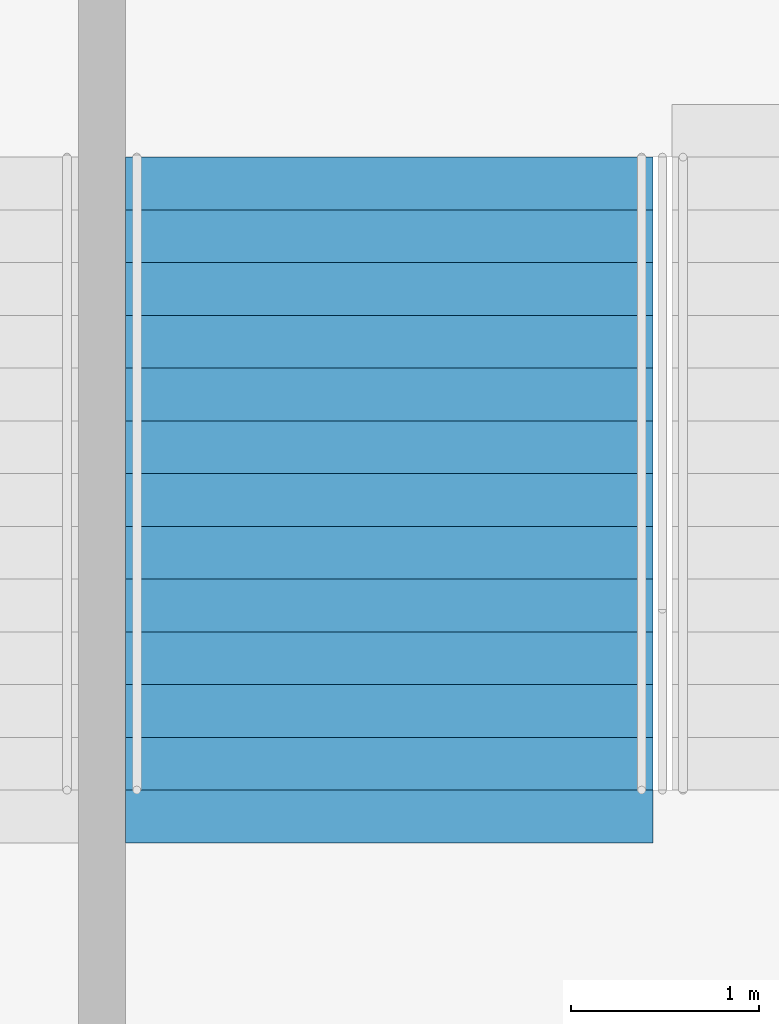
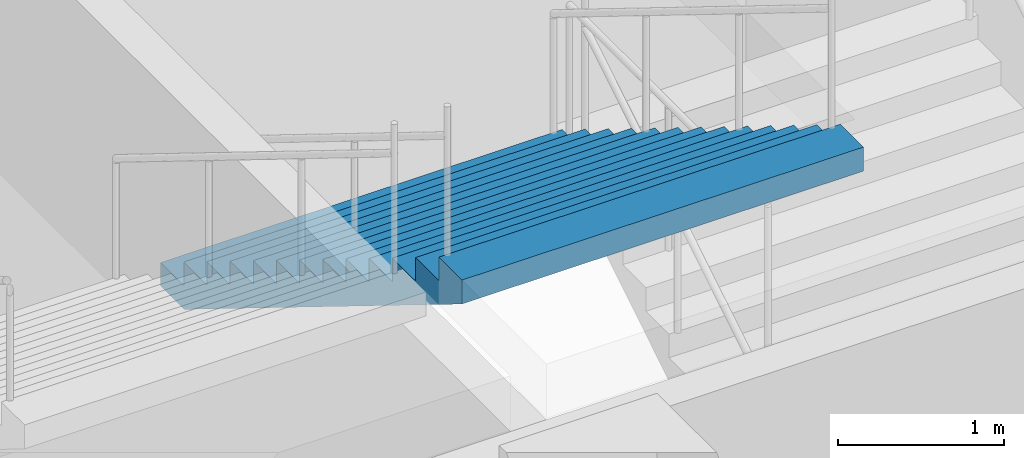
# One storey, part 165 of 199: 1 stair flight, 1 element without a shape of its own.
"""IFC4 building model written with IfcOpenShell, lengths in metres."""

from ifc_helpers import new_model, si_unit, direction, frame, origin, place, context, subcontext, project, spatial, faceted_brep, material, type_object, element, aggregate, save


model = new_model("IFC4")

# Units and contexts
model_context = context("Model", 3, precision=1e-05, world=origin(), true_north=direction((0.0, 1.0)))
body_context = subcontext(model_context, "Body", "Model", "MODEL_VIEW")
ifc_project = project(units=[si_unit("LENGTHUNIT", "METRE"), si_unit("AREAUNIT", "SQUARE_METRE"), si_unit("VOLUMEUNIT", "CUBIC_METRE"), si_unit("PLANEANGLEUNIT", "RADIAN"), si_unit("MASSUNIT", "GRAM", prefix="KILO")], contexts=[model_context])

# Site, building, storey
site_placement = place(None, origin())
site = spatial("IfcSite", under=ifc_project, at=site_placement, CompositionType="ELEMENT")
building_placement = place(site_placement, origin())
building = spatial("IfcBuilding", under=site, at=building_placement, Name="Ogive Plaza Stadium", CompositionType="ELEMENT")
storey_placement = place(building_placement, frame((0.0, 0.0, 9.0)))
storey = spatial("IfcBuildingStorey", under=building, at=storey_placement, Name="L02", CompositionType="ELEMENT", Elevation=9.0)

# Stair, stair flight
ifc_material_1 = material(Name="Concrete C40/50", Category="concrete")
stair_type = type_object("IfcStairType", Name="Exit stair", PredefinedType="STRAIGHT_RUN_STAIR", material=ifc_material_1)
stair_placement = place(storey_placement, origin())
stair = element("IfcStair", 1, at=stair_placement, inside=storey, type_object=stair_type, Name="Exit stair ST34A L02 to L03", PredefinedType="STRAIGHT_RUN_STAIR")
ifc_material_2 = material(Name="Concrete C40/50", Category="concrete")
stair_flight_type = type_object("IfcStairFlightType", Name="Exit stair flight", PredefinedType="STRAIGHT", material=ifc_material_2)
stair_flight_placement = place(storey_placement, frame((-5.27490234375, 98.2099609375, 2.25), z_axis=(0.0, 0.0, 1.0), x_axis=(0.0, -1.0, 0.0)))
stair_flight = element("IfcStairFlight", 2, at=stair_flight_placement, type_object=stair_flight_type, Name="ST34A flight 2", NumberOfRisers=13, NumberOfTreads=12, PredefinedType="STRAIGHT", RiserHeight=0.173076923, TreadLength=0.28, context=body_context, shape_type="Brep", body=[
    faceted_brep([(0.28515625, -1.39990234375, 0.0), (3.639892578125, -1.39990234375, 2.07373046875), (3.639892578125, -1.39990234375, 2.25), (3.360107421875, -1.39990234375, 2.25), (3.360107421875, -1.39990234375, 2.076904296875), (3.080078125, -1.39990234375, 2.076904296875), (3.080078125, -1.39990234375, 1.90380859375), (2.800048828125, -1.39990234375, 1.90380859375), (2.800048828125, -1.39990234375, 1.730712890625), (2.52001953125, -1.39990234375, 1.730712890625), (2.52001953125, -1.39990234375, 1.5576171875), (2.239990234375, -1.39990234375, 1.5576171875), (2.239990234375, -1.39990234375, 1.384521484375), (1.9599609375, -1.39990234375, 1.384521484375), (1.9599609375, -1.39990234375, 1.21142578125), (1.679931640625, -1.39990234375, 1.21142578125), (1.679931640625, -1.39990234375, 1.03857421875), (1.39990234375, -1.39990234375, 1.03857421875), (1.39990234375, -1.39990234375, 0.865478515625), (1.1201171875, -1.39990234375, 0.865478515625), (1.1201171875, -1.39990234375, 0.6923828125), (0.840087890625, -1.39990234375, 0.6923828125), (0.840087890625, -1.39990234375, 0.519287109375), (0.56005859375, -1.39990234375, 0.519287109375), (0.56005859375, -1.39990234375, 0.34619140625), (0.280029296875, -1.39990234375, 0.34619140625), (0.280029296875, -1.39990234375, 0.173095703125), (0.0, -1.39990234375, 0.173095703125), (0.0, -1.39990234375, 0.0), (0.0, 1.39990234375, 0.0), (0.0, 1.39990234375, 0.173095703125), (0.280029296875, 1.39990234375, 0.173095703125), (0.280029296875, 1.39990234375, 0.34619140625), (0.56005859375, 1.39990234375, 0.34619140625), (0.56005859375, 1.39990234375, 0.519287109375), (0.840087890625, 1.39990234375, 0.519287109375), (0.840087890625, 1.39990234375, 0.6923828125), (1.1201171875, 1.39990234375, 0.6923828125), (1.1201171875, 1.39990234375, 0.865478515625), (1.39990234375, 1.39990234375, 0.865478515625), (1.39990234375, 1.39990234375, 1.03857421875), (1.679931640625, 1.39990234375, 1.03857421875), (1.679931640625, 1.39990234375, 1.21142578125), (1.9599609375, 1.39990234375, 1.21142578125), (1.9599609375, 1.39990234375, 1.384521484375), (2.239990234375, 1.39990234375, 1.384521484375), (2.239990234375, 1.39990234375, 1.5576171875), (2.52001953125, 1.39990234375, 1.5576171875), (2.52001953125, 1.39990234375, 1.730712890625), (2.800048828125, 1.39990234375, 1.730712890625), (2.800048828125, 1.39990234375, 1.90380859375), (3.080078125, 1.39990234375, 1.90380859375), (3.080078125, 1.39990234375, 2.076904296875), (3.360107421875, 1.39990234375, 2.076904296875), (3.360107421875, 1.39990234375, 2.25), (3.639892578125, 1.39990234375, 2.25), (3.639892578125, 1.39990234375, 2.07373046875), (0.28515625, 1.39990234375, 0.0), (0.28515625, -1.0888671875, 0.0), (3.639892578125, -1.0888671875, 2.07373046875), (0.28515625, -0.77783203125, 0.0), (3.639892578125, -0.77783203125, 2.07373046875), (0.28515625, -0.466796875, 0.0), (3.639892578125, -0.466796875, 2.07373046875), (0.28515625, -0.155517578125, 0.0), (3.639892578125, -0.155517578125, 2.07373046875), (0.28515625, 0.155517578125, 0.0), (3.639892578125, 0.155517578125, 2.07373046875), (0.28515625, 0.466796875, 0.0), (3.639892578125, 0.466796875, 2.07373046875), (0.28515625, 0.77783203125, 0.0), (3.639892578125, 0.77783203125, 2.07373046875), (0.28515625, 1.0888671875, 0.0), (3.639892578125, 1.0888671875, 2.07373046875), (3.639892578125, -1.0888671875, 2.25), (3.639892578125, -0.77783203125, 2.25), (3.639892578125, -0.466796875, 2.25), (3.639892578125, -0.155517578125, 2.25), (3.639892578125, 0.155517578125, 2.25), (3.639892578125, 0.466796875, 2.25), (3.639892578125, 0.77783203125, 2.25), (3.639892578125, 1.0888671875, 2.25), (3.360107421875, -1.0888671875, 2.25), (3.360107421875, -0.77783203125, 2.25), (3.360107421875, -0.466796875, 2.25), (3.360107421875, -0.155517578125, 2.25), (3.360107421875, 0.155517578125, 2.25), (3.360107421875, 0.466796875, 2.25), (3.360107421875, 0.77783203125, 2.25), (3.360107421875, 1.0888671875, 2.25), (3.360107421875, -1.0888671875, 2.076904296875), (3.360107421875, -0.77783203125, 2.076904296875), (3.360107421875, -0.466796875, 2.076904296875), (3.360107421875, -0.155517578125, 2.076904296875), (3.360107421875, 0.155517578125, 2.076904296875), (3.360107421875, 0.466796875, 2.076904296875), (3.360107421875, 0.77783203125, 2.076904296875), (3.360107421875, 1.0888671875, 2.076904296875), (3.080078125, -1.0888671875, 2.076904296875), (3.080078125, -0.77783203125, 2.076904296875), (3.080078125, -0.466796875, 2.076904296875), (3.080078125, -0.155517578125, 2.076904296875), (3.080078125, 0.155517578125, 2.076904296875), (3.080078125, 0.466796875, 2.076904296875), (3.080078125, 0.77783203125, 2.076904296875), (3.080078125, 1.0888671875, 2.076904296875), (3.080078125, -1.0888671875, 1.90380859375), (3.080078125, -0.77783203125, 1.90380859375), (3.080078125, -0.466796875, 1.90380859375), (3.080078125, -0.155517578125, 1.90380859375), (3.080078125, 0.155517578125, 1.90380859375), (3.080078125, 0.466796875, 1.90380859375), (3.080078125, 0.77783203125, 1.90380859375), (3.080078125, 1.0888671875, 1.90380859375), (2.800048828125, -1.0888671875, 1.90380859375), (2.800048828125, -0.77783203125, 1.90380859375), (2.800048828125, -0.466796875, 1.90380859375), (2.800048828125, -0.155517578125, 1.90380859375), (2.800048828125, 0.155517578125, 1.90380859375), (2.800048828125, 0.466796875, 1.90380859375), (2.800048828125, 0.77783203125, 1.90380859375), (2.800048828125, 1.0888671875, 1.90380859375), (2.800048828125, -1.0888671875, 1.730712890625), (2.800048828125, -0.77783203125, 1.730712890625), (2.800048828125, -0.466796875, 1.730712890625), (2.800048828125, -0.155517578125, 1.730712890625), (2.800048828125, 0.155517578125, 1.730712890625), (2.800048828125, 0.466796875, 1.730712890625), (2.800048828125, 0.77783203125, 1.730712890625), (2.800048828125, 1.0888671875, 1.730712890625), (2.52001953125, -1.0888671875, 1.730712890625), (2.52001953125, -0.77783203125, 1.730712890625), (2.52001953125, -0.466796875, 1.730712890625), (2.52001953125, -0.155517578125, 1.730712890625), (2.52001953125, 0.155517578125, 1.730712890625), (2.52001953125, 0.466796875, 1.730712890625), (2.52001953125, 0.77783203125, 1.730712890625), (2.52001953125, 1.0888671875, 1.730712890625), (2.52001953125, -1.0888671875, 1.5576171875), (2.52001953125, -0.77783203125, 1.5576171875), (2.52001953125, -0.466796875, 1.5576171875), (2.52001953125, -0.155517578125, 1.5576171875), (2.52001953125, 0.155517578125, 1.5576171875), (2.52001953125, 0.466796875, 1.5576171875), (2.52001953125, 0.77783203125, 1.5576171875), (2.52001953125, 1.0888671875, 1.5576171875), (2.239990234375, -1.0888671875, 1.5576171875), (2.239990234375, -0.77783203125, 1.5576171875), (2.239990234375, -0.466796875, 1.5576171875), (2.239990234375, -0.155517578125, 1.5576171875), (2.239990234375, 0.155517578125, 1.5576171875), (2.239990234375, 0.466796875, 1.5576171875), (2.239990234375, 0.77783203125, 1.5576171875), (2.239990234375, 1.0888671875, 1.5576171875), (2.239990234375, -1.0888671875, 1.384521484375), (2.239990234375, -0.77783203125, 1.384521484375), (2.239990234375, -0.466796875, 1.384521484375), (2.239990234375, -0.155517578125, 1.384521484375), (2.239990234375, 0.155517578125, 1.384521484375), (2.239990234375, 0.466796875, 1.384521484375), (2.239990234375, 0.77783203125, 1.384521484375), (2.239990234375, 1.0888671875, 1.384521484375), (1.9599609375, -1.0888671875, 1.384521484375), (1.9599609375, -0.77783203125, 1.384521484375), (1.9599609375, -0.466796875, 1.384521484375), (1.9599609375, -0.155517578125, 1.384521484375), (1.9599609375, 0.155517578125, 1.384521484375), (1.9599609375, 0.466796875, 1.384521484375), (1.9599609375, 0.77783203125, 1.384521484375), (1.9599609375, 1.0888671875, 1.384521484375), (1.9599609375, -1.0888671875, 1.21142578125), (1.9599609375, -0.77783203125, 1.21142578125), (1.9599609375, -0.466796875, 1.21142578125), (1.9599609375, -0.155517578125, 1.21142578125), (1.9599609375, 0.155517578125, 1.21142578125), (1.9599609375, 0.466796875, 1.21142578125), (1.9599609375, 0.77783203125, 1.21142578125), (1.9599609375, 1.0888671875, 1.21142578125), (1.679931640625, -1.0888671875, 1.21142578125), (1.679931640625, -0.77783203125, 1.21142578125), (1.679931640625, -0.466796875, 1.21142578125), (1.679931640625, -0.155517578125, 1.21142578125), (1.679931640625, 0.155517578125, 1.21142578125), (1.679931640625, 0.466796875, 1.21142578125), (1.679931640625, 0.77783203125, 1.21142578125), (1.679931640625, 1.0888671875, 1.21142578125), (1.679931640625, -1.0888671875, 1.03857421875), (1.679931640625, -0.77783203125, 1.03857421875), (1.679931640625, -0.466796875, 1.03857421875), (1.679931640625, -0.155517578125, 1.03857421875), (1.679931640625, 0.155517578125, 1.03857421875), (1.679931640625, 0.466796875, 1.03857421875), (1.679931640625, 0.77783203125, 1.03857421875), (1.679931640625, 1.0888671875, 1.03857421875), (1.39990234375, -1.0888671875, 1.03857421875), (1.39990234375, -0.77783203125, 1.03857421875), (1.39990234375, -0.466796875, 1.03857421875), (1.39990234375, -0.155517578125, 1.03857421875), (1.39990234375, 0.155517578125, 1.03857421875), (1.39990234375, 0.466796875, 1.03857421875), (1.39990234375, 0.77783203125, 1.03857421875), (1.39990234375, 1.0888671875, 1.03857421875), (1.39990234375, -1.0888671875, 0.865478515625), (1.39990234375, -0.77783203125, 0.865478515625), (1.39990234375, -0.466796875, 0.865478515625), (1.39990234375, -0.155517578125, 0.865478515625), (1.39990234375, 0.155517578125, 0.865478515625), (1.39990234375, 0.466796875, 0.865478515625), (1.39990234375, 0.77783203125, 0.865478515625), (1.39990234375, 1.0888671875, 0.865478515625), (1.1201171875, -1.0888671875, 0.865478515625), (1.1201171875, -0.77783203125, 0.865478515625), (1.1201171875, -0.466796875, 0.865478515625), (1.1201171875, -0.155517578125, 0.865478515625), (1.1201171875, 0.155517578125, 0.865478515625), (1.1201171875, 0.466796875, 0.865478515625), (1.1201171875, 0.77783203125, 0.865478515625), (1.1201171875, 1.0888671875, 0.865478515625), (1.1201171875, -1.0888671875, 0.6923828125), (1.1201171875, -0.77783203125, 0.6923828125), (1.1201171875, -0.466796875, 0.6923828125), (1.1201171875, -0.155517578125, 0.6923828125), (1.1201171875, 0.155517578125, 0.6923828125), (1.1201171875, 0.466796875, 0.6923828125), (1.1201171875, 0.77783203125, 0.6923828125), (1.1201171875, 1.0888671875, 0.6923828125), (0.840087890625, -1.0888671875, 0.6923828125), (0.840087890625, -0.77783203125, 0.6923828125), (0.840087890625, -0.466796875, 0.6923828125), (0.840087890625, -0.155517578125, 0.6923828125), (0.840087890625, 0.155517578125, 0.6923828125), (0.840087890625, 0.466796875, 0.6923828125), (0.840087890625, 0.77783203125, 0.6923828125), (0.840087890625, 1.0888671875, 0.6923828125), (0.840087890625, -1.0888671875, 0.519287109375), (0.840087890625, -0.77783203125, 0.519287109375), (0.840087890625, -0.466796875, 0.519287109375), (0.840087890625, -0.155517578125, 0.519287109375), (0.840087890625, 0.155517578125, 0.519287109375), (0.840087890625, 0.466796875, 0.519287109375), (0.840087890625, 0.77783203125, 0.519287109375), (0.840087890625, 1.0888671875, 0.519287109375), (0.56005859375, -1.0888671875, 0.519287109375), (0.56005859375, -0.77783203125, 0.519287109375), (0.56005859375, -0.466796875, 0.519287109375), (0.56005859375, -0.155517578125, 0.519287109375), (0.56005859375, 0.155517578125, 0.519287109375), (0.56005859375, 0.466796875, 0.519287109375), (0.56005859375, 0.77783203125, 0.519287109375), (0.56005859375, 1.0888671875, 0.519287109375), (0.56005859375, -1.0888671875, 0.34619140625), (0.56005859375, -0.77783203125, 0.34619140625), (0.56005859375, -0.466796875, 0.34619140625), (0.56005859375, -0.155517578125, 0.34619140625), (0.56005859375, 0.155517578125, 0.34619140625), (0.56005859375, 0.466796875, 0.34619140625), (0.56005859375, 0.77783203125, 0.34619140625), (0.56005859375, 1.0888671875, 0.34619140625), (0.280029296875, -1.0888671875, 0.34619140625), (0.280029296875, -0.77783203125, 0.34619140625), (0.280029296875, -0.466796875, 0.34619140625), (0.280029296875, -0.155517578125, 0.34619140625), (0.280029296875, 0.155517578125, 0.34619140625), (0.280029296875, 0.466796875, 0.34619140625), (0.280029296875, 0.77783203125, 0.34619140625), (0.280029296875, 1.0888671875, 0.34619140625), (0.280029296875, -1.0888671875, 0.173095703125), (0.280029296875, -0.77783203125, 0.173095703125), (0.280029296875, -0.466796875, 0.173095703125), (0.280029296875, -0.155517578125, 0.173095703125), (0.280029296875, 0.155517578125, 0.173095703125), (0.280029296875, 0.466796875, 0.173095703125), (0.280029296875, 0.77783203125, 0.173095703125), (0.280029296875, 1.0888671875, 0.173095703125), (0.0, -1.0888671875, 0.173095703125), (0.0, -0.77783203125, 0.173095703125), (0.0, -0.466796875, 0.173095703125), (0.0, -0.155517578125, 0.173095703125), (0.0, 0.155517578125, 0.173095703125), (0.0, 0.466796875, 0.173095703125), (0.0, 0.77783203125, 0.173095703125), (0.0, 1.0888671875, 0.173095703125), (0.0, -1.0888671875, 0.0), (0.0, -0.77783203125, 0.0), (0.0, -0.466796875, 0.0), (0.0, -0.155517578125, 0.0), (0.0, 0.155517578125, 0.0), (0.0, 0.466796875, 0.0), (0.0, 0.77783203125, 0.0), (0.0, 1.0888671875, 0.0)], [[[0, 1, 2, 3, 4, 5, 6, 7, 8, 9, 10, 11, 12, 13, 14, 15, 16, 17, 18, 19, 20, 21, 22, 23, 24, 25, 26, 27, 28]], [[29, 30, 31, 32, 33, 34, 35, 36, 37, 38, 39, 40, 41, 42, 43, 44, 45, 46, 47, 48, 49, 50, 51, 52, 53, 54, 55, 56, 57]], [[0, 58, 59, 1]], [[58, 60, 61, 59]], [[60, 62, 63, 61]], [[62, 64, 65, 63]], [[64, 66, 67, 65]], [[66, 68, 69, 67]], [[68, 70, 71, 69]], [[70, 72, 73, 71]], [[72, 57, 56, 73]], [[1, 59, 74, 2]], [[59, 61, 75, 74]], [[61, 63, 76, 75]], [[63, 65, 77, 76]], [[65, 67, 78, 77]], [[67, 69, 79, 78]], [[69, 71, 80, 79]], [[71, 73, 81, 80]], [[73, 56, 55, 81]], [[2, 74, 82, 3]], [[74, 75, 83, 82]], [[75, 76, 84, 83]], [[76, 77, 85, 84]], [[77, 78, 86, 85]], [[78, 79, 87, 86]], [[79, 80, 88, 87]], [[80, 81, 89, 88]], [[81, 55, 54, 89]], [[3, 82, 90, 4]], [[82, 83, 91, 90]], [[83, 84, 92, 91]], [[84, 85, 93, 92]], [[85, 86, 94, 93]], [[86, 87, 95, 94]], [[87, 88, 96, 95]], [[88, 89, 97, 96]], [[89, 54, 53, 97]], [[4, 90, 98, 5]], [[90, 91, 99, 98]], [[91, 92, 100, 99]], [[92, 93, 101, 100]], [[93, 94, 102, 101]], [[94, 95, 103, 102]], [[95, 96, 104, 103]], [[96, 97, 105, 104]], [[97, 53, 52, 105]], [[5, 98, 106, 6]], [[98, 99, 107, 106]], [[99, 100, 108, 107]], [[100, 101, 109, 108]], [[101, 102, 110, 109]], [[102, 103, 111, 110]], [[103, 104, 112, 111]], [[104, 105, 113, 112]], [[105, 52, 51, 113]], [[6, 106, 114, 7]], [[106, 107, 115, 114]], [[107, 108, 116, 115]], [[108, 109, 117, 116]], [[109, 110, 118, 117]], [[110, 111, 119, 118]], [[111, 112, 120, 119]], [[112, 113, 121, 120]], [[113, 51, 50, 121]], [[7, 114, 122, 8]], [[114, 115, 123, 122]], [[115, 116, 124, 123]], [[116, 117, 125, 124]], [[117, 118, 126, 125]], [[118, 119, 127, 126]], [[119, 120, 128, 127]], [[120, 121, 129, 128]], [[121, 50, 49, 129]], [[8, 122, 130, 9]], [[122, 123, 131, 130]], [[123, 124, 132, 131]], [[124, 125, 133, 132]], [[125, 126, 134, 133]], [[126, 127, 135, 134]], [[127, 128, 136, 135]], [[128, 129, 137, 136]], [[129, 49, 48, 137]], [[9, 130, 138, 10]], [[130, 131, 139, 138]], [[131, 132, 140, 139]], [[132, 133, 141, 140]], [[133, 134, 142, 141]], [[134, 135, 143, 142]], [[135, 136, 144, 143]], [[136, 137, 145, 144]], [[137, 48, 47, 145]], [[10, 138, 146, 11]], [[138, 139, 147, 146]], [[139, 140, 148, 147]], [[140, 141, 149, 148]], [[141, 142, 150, 149]], [[142, 143, 151, 150]], [[143, 144, 152, 151]], [[144, 145, 153, 152]], [[145, 47, 46, 153]], [[11, 146, 154, 12]], [[146, 147, 155, 154]], [[147, 148, 156, 155]], [[148, 149, 157, 156]], [[149, 150, 158, 157]], [[150, 151, 159, 158]], [[151, 152, 160, 159]], [[152, 153, 161, 160]], [[153, 46, 45, 161]], [[12, 154, 162, 13]], [[154, 155, 163, 162]], [[155, 156, 164, 163]], [[156, 157, 165, 164]], [[157, 158, 166, 165]], [[158, 159, 167, 166]], [[159, 160, 168, 167]], [[160, 161, 169, 168]], [[161, 45, 44, 169]], [[13, 162, 170, 14]], [[162, 163, 171, 170]], [[163, 164, 172, 171]], [[164, 165, 173, 172]], [[165, 166, 174, 173]], [[166, 167, 175, 174]], [[167, 168, 176, 175]], [[168, 169, 177, 176]], [[169, 44, 43, 177]], [[14, 170, 178, 15]], [[170, 171, 179, 178]], [[171, 172, 180, 179]], [[172, 173, 181, 180]], [[173, 174, 182, 181]], [[174, 175, 183, 182]], [[175, 176, 184, 183]], [[176, 177, 185, 184]], [[177, 43, 42, 185]], [[15, 178, 186, 16]], [[178, 179, 187, 186]], [[179, 180, 188, 187]], [[180, 181, 189, 188]], [[181, 182, 190, 189]], [[182, 183, 191, 190]], [[183, 184, 192, 191]], [[184, 185, 193, 192]], [[185, 42, 41, 193]], [[16, 186, 194, 17]], [[186, 187, 195, 194]], [[187, 188, 196, 195]], [[188, 189, 197, 196]], [[189, 190, 198, 197]], [[190, 191, 199, 198]], [[191, 192, 200, 199]], [[192, 193, 201, 200]], [[193, 41, 40, 201]], [[17, 194, 202, 18]], [[194, 195, 203, 202]], [[195, 196, 204, 203]], [[196, 197, 205, 204]], [[197, 198, 206, 205]], [[198, 199, 207, 206]], [[199, 200, 208, 207]], [[200, 201, 209, 208]], [[201, 40, 39, 209]], [[18, 202, 210, 19]], [[202, 203, 211, 210]], [[203, 204, 212, 211]], [[204, 205, 213, 212]], [[205, 206, 214, 213]], [[206, 207, 215, 214]], [[207, 208, 216, 215]], [[208, 209, 217, 216]], [[209, 39, 38, 217]], [[19, 210, 218, 20]], [[210, 211, 219, 218]], [[211, 212, 220, 219]], [[212, 213, 221, 220]], [[213, 214, 222, 221]], [[214, 215, 223, 222]], [[215, 216, 224, 223]], [[216, 217, 225, 224]], [[217, 38, 37, 225]], [[20, 218, 226, 21]], [[218, 219, 227, 226]], [[219, 220, 228, 227]], [[220, 221, 229, 228]], [[221, 222, 230, 229]], [[222, 223, 231, 230]], [[223, 224, 232, 231]], [[224, 225, 233, 232]], [[225, 37, 36, 233]], [[21, 226, 234, 22]], [[226, 227, 235, 234]], [[227, 228, 236, 235]], [[228, 229, 237, 236]], [[229, 230, 238, 237]], [[230, 231, 239, 238]], [[231, 232, 240, 239]], [[232, 233, 241, 240]], [[233, 36, 35, 241]], [[22, 234, 242, 23]], [[234, 235, 243, 242]], [[235, 236, 244, 243]], [[236, 237, 245, 244]], [[237, 238, 246, 245]], [[238, 239, 247, 246]], [[239, 240, 248, 247]], [[240, 241, 249, 248]], [[241, 35, 34, 249]], [[23, 242, 250, 24]], [[242, 243, 251, 250]], [[243, 244, 252, 251]], [[244, 245, 253, 252]], [[245, 246, 254, 253]], [[246, 247, 255, 254]], [[247, 248, 256, 255]], [[248, 249, 257, 256]], [[249, 34, 33, 257]], [[24, 250, 258, 25]], [[250, 251, 259, 258]], [[251, 252, 260, 259]], [[252, 253, 261, 260]], [[253, 254, 262, 261]], [[254, 255, 263, 262]], [[255, 256, 264, 263]], [[256, 257, 265, 264]], [[257, 33, 32, 265]], [[25, 258, 266, 26]], [[258, 259, 267, 266]], [[259, 260, 268, 267]], [[260, 261, 269, 268]], [[261, 262, 270, 269]], [[262, 263, 271, 270]], [[263, 264, 272, 271]], [[264, 265, 273, 272]], [[265, 32, 31, 273]], [[26, 266, 274, 27]], [[266, 267, 275, 274]], [[267, 268, 276, 275]], [[268, 269, 277, 276]], [[269, 270, 278, 277]], [[270, 271, 279, 278]], [[271, 272, 280, 279]], [[272, 273, 281, 280]], [[273, 31, 30, 281]], [[27, 274, 282, 28]], [[274, 275, 283, 282]], [[275, 276, 284, 283]], [[276, 277, 285, 284]], [[277, 278, 286, 285]], [[278, 279, 287, 286]], [[279, 280, 288, 287]], [[280, 281, 289, 288]], [[281, 30, 29, 289]], [[28, 282, 58, 0]], [[282, 283, 60, 58]], [[283, 284, 62, 60]], [[284, 285, 64, 62]], [[285, 286, 66, 64]], [[286, 287, 68, 66]], [[287, 288, 70, 68]], [[288, 289, 72, 70]], [[289, 29, 57, 72]]]),
])
aggregate(stair, [stair_flight])

save(model, "model.ifc")
